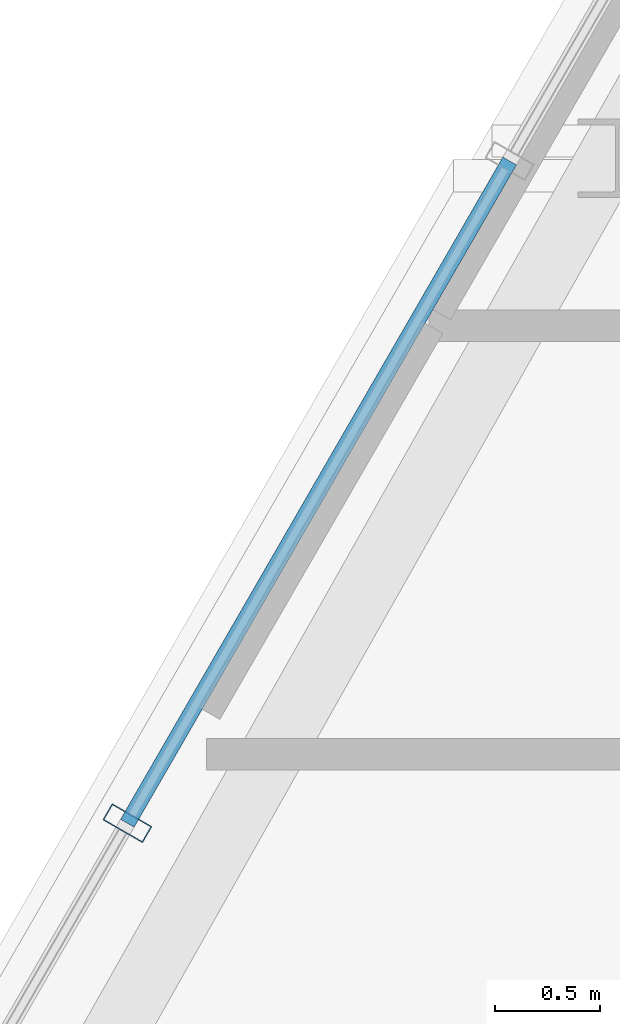
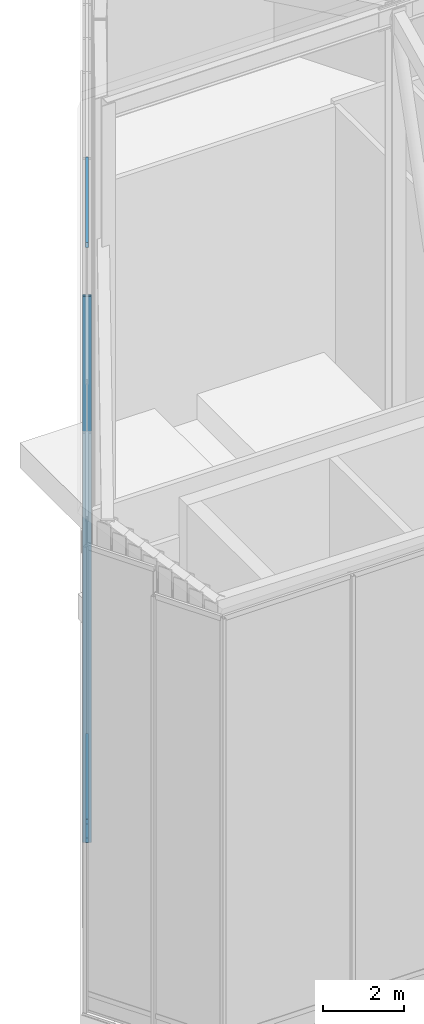
# One storey, part 7 of 36: 4 members, 2 elements without a shape of their own.
"""IFC4 building model written with IfcOpenShell, lengths in metres."""

from ifc_helpers import new_model, si_unit, direction, frame, origin, origin_2d, place, context, subcontext, project, spatial, hollow_rectangle, extrude, material, layer, layer_set, material_profile, profile_set, type_object, element, aggregate, save


model = new_model("IFC4")

# Units and contexts
model_context = context("Model", 3, precision=1e-05, world=origin(), true_north=direction((0.0, 1.0)))
body_context = subcontext(model_context, "Body", "Model", "MODEL_VIEW")
ifc_project = project(units=[si_unit("LENGTHUNIT", "METRE"), si_unit("AREAUNIT", "SQUARE_METRE"), si_unit("VOLUMEUNIT", "CUBIC_METRE"), si_unit("PLANEANGLEUNIT", "RADIAN"), si_unit("MASSUNIT", "GRAM", prefix="KILO")], contexts=[model_context])

# Site, building, storey
site_placement = place(None, origin())
site = spatial("IfcSite", under=ifc_project, at=site_placement, CompositionType="ELEMENT")
building_placement = place(site_placement, origin())
building = spatial("IfcBuilding", under=site, at=building_placement, Name="Ndaravel Arena Tower", CompositionType="ELEMENT")
storey_placement = place(building_placement, frame((0.0, 0.0, 308.10009765625)))
storey = spatial("IfcBuildingStorey", under=building, at=storey_placement, Name="Roof Crown", CompositionType="ELEMENT", Elevation=308.10009765625)

# Curtain wall, member
ifc_material_1 = material(Name="Aluminium", Category="aluminium")
ifc_layer = layer(ifc_material_1, 0.179931640625)
ifc_layer_set = layer_set([ifc_layer], Name="Aluminium")
curtain_wall_type = type_object("IfcCurtainWallType", Name="CW-SYS-06", PredefinedType="NOTDEFINED", material=ifc_layer_set)
curtain_wall_1_placement = place(storey_placement, origin())
curtain_wall_1 = element("IfcCurtainWall", 1, at=curtain_wall_1_placement, inside=storey, type_object=curtain_wall_type, Name="Roof Crown Sloped Crown Lantern Curtain Wall CW-CROWN-E05-S10", PredefinedType="NOTDEFINED")
ifc_material_2 = material(Name="Aluminium", Category="aluminium")
ifc_material_profile_1 = material_profile(ifc_material_2, hollow_rectangle(XDim=0.090087890625, YDim=0.219970703125, WallThickness=0.0048828125, at=origin_2d()), Name="CW MULLION 90x220x5")
ifc_profile_set_1 = profile_set([ifc_material_profile_1], Name="Aluminium")
member_type_1 = type_object("IfcMemberType", Name="MEM-CW-MUL220", PredefinedType="MULLION", material=ifc_profile_set_1)
member_1_placement = place(storey_placement, frame((23.62255859375, 14.81982421875, 0.0), z_axis=(0.0, 0.0, 1.0), x_axis=(-0.500015114919, -0.866016677006, 0.0)))
member_1 = element("IfcMember", 2, at=member_1_placement, type_object=member_type_1, Name="CW-CROWN-E05-S10 Mullion 00", PredefinedType="MULLION", context=body_context, shape_type="SweptSolid", body=[
    extrude(hollow_rectangle(XDim=0.090087890625, YDim=0.219970703125, WallThickness=0.0048828125, at=origin_2d()), origin(), (0.0, 0.0, 1.0), 16.37451171875),
])
aggregate(curtain_wall_1, [member_1])

# Curtain wall, members
curtain_wall_2_placement = place(storey_placement, origin())
curtain_wall_2 = element("IfcCurtainWall", 3, at=curtain_wall_2_placement, inside=storey, type_object=curtain_wall_type, Name="Roof Crown Sloped Crown Lantern Curtain Wall CW-CROWN-E05-S09", PredefinedType="NOTDEFINED")
ifc_material_3 = material(Name="Aluminium", Category="aluminium")
ifc_material_profile_2 = material_profile(ifc_material_3, hollow_rectangle(XDim=0.074951171875, YDim=0.14990234375, WallThickness=0.00390625, at=origin_2d()), Name="CW TRANSOM 75x150x4")
ifc_profile_set_2 = profile_set([ifc_material_profile_2], Name="Aluminium")
member_type_2 = type_object("IfcMemberType", Name="MEM-CW-TRN150", PredefinedType="USERDEFINED", material=ifc_profile_set_2)
member_2_placement = place(storey_placement, frame((25.451171875, 17.987060546875, 0.039794921875), z_axis=(-0.500001750229, -0.866024393287, 0.0), x_axis=(0.866024393287, -0.500001750229, 0.0)))
member_2 = element("IfcMember", 4, at=member_2_placement, type_object=member_type_2, Name="CW-CROWN-E05-S09 Transom 01", ObjectType="TRANSOM", PredefinedType="USERDEFINED", context=body_context, shape_type="SweptSolid", body=[
    extrude(hollow_rectangle(XDim=0.074951171875, YDim=0.14990234375, WallThickness=0.00390625, at=origin_2d()), origin(), (0.0, 0.0, 1.0), 3.6572265625),
])
member_3_placement = place(storey_placement, frame((25.451171875, 17.987060546875, 0.599853515625), z_axis=(-0.500001750229, -0.866024393287, 0.0), x_axis=(0.866024393287, -0.500001750229, 0.0)))
member_3 = element("IfcMember", 5, at=member_3_placement, type_object=member_type_2, Name="CW-CROWN-E05-S09 Transom 02", ObjectType="TRANSOM", PredefinedType="USERDEFINED", context=body_context, shape_type="SweptSolid", body=[
    extrude(hollow_rectangle(XDim=0.074951171875, YDim=0.14990234375, WallThickness=0.00390625, at=origin_2d()), origin(), (0.0, 0.0, 1.0), 3.6572265625),
])
member_4_placement = place(storey_placement, frame((25.451171875, 17.987060546875, 17.87939453125), z_axis=(-0.500001750229, -0.866024393287, 0.0), x_axis=(0.866024393287, -0.500001750229, 0.0)))
member_4 = element("IfcMember", 6, at=member_4_placement, type_object=member_type_2, Name="CW-CROWN-E05-S09 Transom 03", ObjectType="TRANSOM", PredefinedType="USERDEFINED", context=body_context, shape_type="SweptSolid", body=[
    extrude(hollow_rectangle(XDim=0.074951171875, YDim=0.14990234375, WallThickness=0.00390625, at=origin_2d()), origin(), (0.0, 0.0, 1.0), 3.6572265625),
])
aggregate(curtain_wall_2, [member_2, member_3, member_4])

save(model, "model.ifc")
